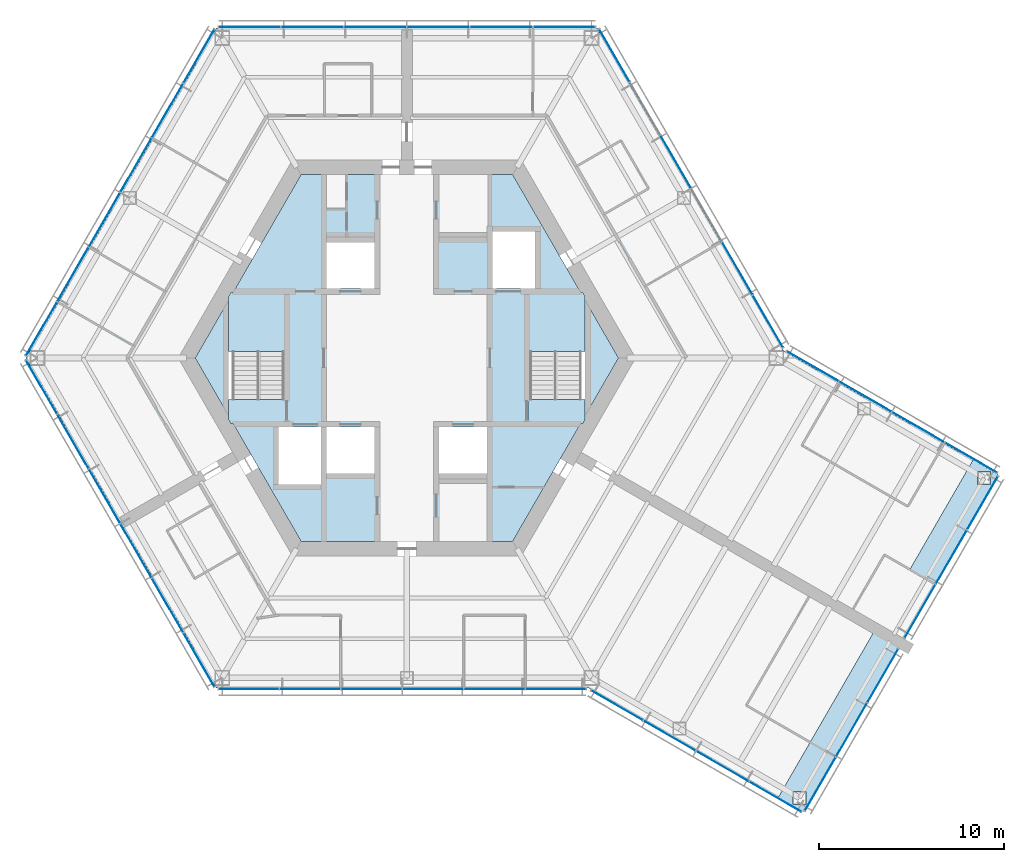
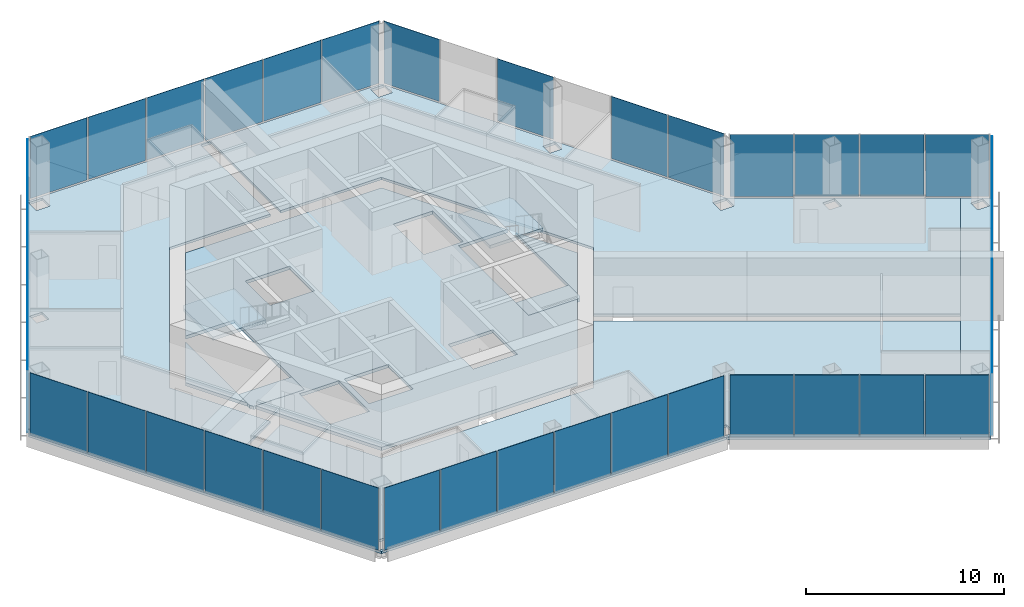
# One storey, part 8 of 16: 42 plates, 9 slabs, 11 elements without a shape of their own.
"""IFC4 building model written with IfcOpenShell, lengths in metres."""

from ifc_helpers import new_model, si_unit, direction, frame, origin, origin_2d, place, context, subcontext, project, spatial, polyline, rectangle, outline, extrude, material, layer, layer_set, type_object, element, aggregate, save


model = new_model("IFC4")

# Units and contexts
model_context = context("Model", 3, precision=1e-05, world=origin(), true_north=direction((0.0, 1.0)))
body_context = subcontext(model_context, "Body", "Model", "MODEL_VIEW")
ifc_project = project(units=[si_unit("LENGTHUNIT", "METRE"), si_unit("AREAUNIT", "SQUARE_METRE"), si_unit("VOLUMEUNIT", "CUBIC_METRE"), si_unit("PLANEANGLEUNIT", "RADIAN"), si_unit("MASSUNIT", "GRAM", prefix="KILO")], contexts=[model_context])

# Site, building, storey
site_placement = place(None, origin())
site = spatial("IfcSite", under=ifc_project, at=site_placement, CompositionType="ELEMENT")
building_placement = place(site_placement, origin())
building = spatial("IfcBuilding", under=site, at=building_placement, Name="Kasaneha Research Tower", CompositionType="ELEMENT")
storey_placement = place(building_placement, frame((0.0, 0.0, 259.60009765625)))
storey = spatial("IfcBuildingStorey", under=building, at=storey_placement, Name="L65", CompositionType="ELEMENT", Elevation=259.60009765625)

# Curtain wall, plates
ifc_material_1 = material(Name="Glass and aluminium", Category="aluminium")
curtain_wall_type = type_object("IfcCurtainWallType", Name="High-rise office curtain wall", PredefinedType="USERDEFINED", material=ifc_material_1)
curtain_wall_1_placement = place(storey_placement, origin())
curtain_wall_1 = element("IfcCurtainWall", 1, at=curtain_wall_1_placement, inside=storey, type_object=curtain_wall_type, Name="CW-O3 L65 run 01a", ObjectType="UNITISED CURTAIN WALL", PredefinedType="USERDEFINED")
ifc_material_2 = material(Name="Laminated double glazing", Category="glass")
ifc_layer_1 = layer(ifc_material_2, 0.02392578125)
ifc_layer_set_1 = layer_set([ifc_layer_1], Name="CW-O3 glazed panel")
plate_type = type_object("IfcPlateType", Name="CW-O3 glazed panel", PredefinedType="CURTAIN_PANEL", material=ifc_layer_set_1)
plate_1_placement = place(storey_placement, frame((19.549072265625, 1.981201171875, 0.06005859375), z_axis=(0.0, 0.0, 1.0), x_axis=(-0.499999979232, 0.866025415775, 0.0)))
plate_1 = element("IfcPlate", 2, at=plate_1_placement, type_object=plate_type, Name="CW-O3 panel 1", PredefinedType="CURTAIN_PANEL", context=body_context, shape_type="SweptSolid", body=[
    extrude(rectangle(XDim=3.240966796875, YDim=0.02392578125, at=origin_2d()), origin(), (0.0, 0.0, 1.0), 3.840087890625),
])
plate_2_placement = place(storey_placement, frame((17.89111328125, 4.852783203125, 0.06005859375), z_axis=(0.0, 0.0, 1.0), x_axis=(-0.499999979232, 0.866025415775, 0.0)))
plate_2 = element("IfcPlate", 3, at=plate_2_placement, type_object=plate_type, Name="CW-O3 panel 2", PredefinedType="CURTAIN_PANEL", context=body_context, shape_type="SweptSolid", body=[
    extrude(rectangle(XDim=3.27099609375, YDim=0.02392578125, at=origin_2d()), origin(), (0.0, 0.0, 1.0), 3.840087890625),
])
plate_3_placement = place(storey_placement, frame((14.56005859375, 10.622314453125, 0.06005859375), z_axis=(0.0, 0.0, 1.0), x_axis=(-0.499999979232, 0.866025415775, 0.0)))
plate_3 = element("IfcPlate", 4, at=plate_3_placement, type_object=plate_type, Name="CW-O3 panel 4", PredefinedType="CURTAIN_PANEL", context=body_context, shape_type="SweptSolid", body=[
    extrude(rectangle(XDim=3.27099609375, YDim=0.02392578125, at=origin_2d()), origin(), (0.0, 0.0, 1.0), 3.840087890625),
])
plate_4_placement = place(storey_placement, frame((11.236572265625, 16.378662109375, 0.06005859375), z_axis=(0.0, 0.0, 1.0), x_axis=(-0.499999979232, 0.866025415775, 0.0)))
plate_4 = element("IfcPlate", 5, at=plate_4_placement, type_object=plate_type, Name="CW-O3 panel 6", PredefinedType="CURTAIN_PANEL", context=body_context, shape_type="SweptSolid", body=[
    extrude(rectangle(XDim=3.240966796875, YDim=0.02392578125, at=origin_2d()), origin(), (0.0, 0.0, 1.0), 3.840087890625),
])
aggregate(curtain_wall_1, [plate_1, plate_2, plate_3, plate_4])

curtain_wall_2_placement = place(storey_placement, origin())
curtain_wall_2 = element("IfcCurtainWall", 6, at=curtain_wall_2_placement, inside=storey, type_object=curtain_wall_type, Name="CW-O3 L65 run 02a", ObjectType="UNITISED CURTAIN WALL", PredefinedType="USERDEFINED")
plate_5_placement = place(storey_placement, frame((8.523681640625, 17.92041015625, 0.06005859375), z_axis=(0.0, 0.0, 1.0), x_axis=(-1.0, 0.0, 0.0)))
plate_5 = element("IfcPlate", 7, at=plate_5_placement, type_object=plate_type, Name="CW-O3 panel 1", PredefinedType="CURTAIN_PANEL", context=body_context, shape_type="SweptSolid", body=[
    extrude(rectangle(XDim=3.325439453125, YDim=0.02392578125, at=origin_2d()), origin(), (0.0, 0.0, 1.0), 3.840087890625),
])
plate_6_placement = place(storey_placement, frame((5.123291015625, 17.92041015625, 0.06005859375), z_axis=(0.0, 0.0, 1.0), x_axis=(-1.0, 0.0, 0.0)))
plate_6 = element("IfcPlate", 8, at=plate_6_placement, type_object=plate_type, Name="CW-O3 panel 2", PredefinedType="CURTAIN_PANEL", context=body_context, shape_type="SweptSolid", body=[
    extrude(rectangle(XDim=3.35546875, YDim=0.02392578125, at=origin_2d()), origin(), (0.0, 0.0, 1.0), 3.840087890625),
])
plate_7_placement = place(storey_placement, frame((1.707763671875, 17.92041015625, 0.06005859375), z_axis=(0.0, 0.0, 1.0), x_axis=(-1.0, 0.0, 0.0)))
plate_7 = element("IfcPlate", 9, at=plate_7_placement, type_object=plate_type, Name="CW-O3 panel 3", PredefinedType="CURTAIN_PANEL", context=body_context, shape_type="SweptSolid", body=[
    extrude(rectangle(XDim=3.35546875, YDim=0.02392578125, at=origin_2d()), origin(), (0.0, 0.0, 1.0), 3.840087890625),
])
plate_8_placement = place(storey_placement, frame((-1.707763671875, 17.92041015625, 0.06005859375), z_axis=(0.0, 0.0, 1.0), x_axis=(-1.0, 0.0, 0.0)))
plate_8 = element("IfcPlate", 10, at=plate_8_placement, type_object=plate_type, Name="CW-O3 panel 4", PredefinedType="CURTAIN_PANEL", context=body_context, shape_type="SweptSolid", body=[
    extrude(rectangle(XDim=3.35546875, YDim=0.02392578125, at=origin_2d()), origin(), (0.0, 0.0, 1.0), 3.840087890625),
])
plate_9_placement = place(storey_placement, frame((-5.123291015625, 17.92041015625, 0.06005859375), z_axis=(0.0, 0.0, 1.0), x_axis=(-1.0, 0.0, 0.0)))
plate_9 = element("IfcPlate", 11, at=plate_9_placement, type_object=plate_type, Name="CW-O3 panel 5", PredefinedType="CURTAIN_PANEL", context=body_context, shape_type="SweptSolid", body=[
    extrude(rectangle(XDim=3.35546875, YDim=0.02392578125, at=origin_2d()), origin(), (0.0, 0.0, 1.0), 3.840087890625),
])
plate_10_placement = place(storey_placement, frame((-8.523681640625, 17.92041015625, 0.06005859375), z_axis=(0.0, 0.0, 1.0), x_axis=(-1.0, 0.0, 0.0)))
plate_10 = element("IfcPlate", 12, at=plate_10_placement, type_object=plate_type, Name="CW-O3 panel 6", PredefinedType="CURTAIN_PANEL", context=body_context, shape_type="SweptSolid", body=[
    extrude(rectangle(XDim=3.325439453125, YDim=0.02392578125, at=origin_2d()), origin(), (0.0, 0.0, 1.0), 3.840087890625),
])
aggregate(curtain_wall_2, [plate_5, plate_6, plate_7, plate_8, plate_9, plate_10])

curtain_wall_3_placement = place(storey_placement, origin())
curtain_wall_3 = element("IfcCurtainWall", 13, at=curtain_wall_3_placement, inside=storey, type_object=curtain_wall_type, Name="CW-O3 L65 run 03a", ObjectType="UNITISED CURTAIN WALL", PredefinedType="USERDEFINED")
plate_11_placement = place(storey_placement, frame((-11.2578125, 16.342041015625, 0.06005859375), z_axis=(0.0, 0.0, 1.0), x_axis=(-0.499999995722, -0.866025406254, 0.0)))
plate_11 = element("IfcPlate", 14, at=plate_11_placement, type_object=plate_type, Name="CW-O3 panel 1", PredefinedType="CURTAIN_PANEL", context=body_context, shape_type="SweptSolid", body=[
    extrude(rectangle(XDim=3.325439453125, YDim=0.02392578125, at=origin_2d()), origin(), (0.0, 0.0, 1.0), 3.840087890625),
])
plate_12_placement = place(storey_placement, frame((-12.9580078125, 13.39697265625, 0.06005859375), z_axis=(0.0, 0.0, 1.0), x_axis=(-0.499999995722, -0.866025406254, 0.0)))
plate_12 = element("IfcPlate", 15, at=plate_12_placement, type_object=plate_type, Name="CW-O3 panel 2", PredefinedType="CURTAIN_PANEL", context=body_context, shape_type="SweptSolid", body=[
    extrude(rectangle(XDim=3.35546875, YDim=0.02392578125, at=origin_2d()), origin(), (0.0, 0.0, 1.0), 3.840087890625),
])
plate_13_placement = place(storey_placement, frame((-14.665771484375, 10.439208984375, 0.06005859375), z_axis=(0.0, 0.0, 1.0), x_axis=(-0.499999995722, -0.866025406254, 0.0)))
plate_13 = element("IfcPlate", 16, at=plate_13_placement, type_object=plate_type, Name="CW-O3 panel 3", PredefinedType="CURTAIN_PANEL", context=body_context, shape_type="SweptSolid", body=[
    extrude(rectangle(XDim=3.35546875, YDim=0.02392578125, at=origin_2d()), origin(), (0.0, 0.0, 1.0), 3.840087890625),
])
plate_14_placement = place(storey_placement, frame((-16.37353515625, 7.481201171875, 0.06005859375), z_axis=(0.0, 0.0, 1.0), x_axis=(-0.499999995722, -0.866025406254, 0.0)))
plate_14 = element("IfcPlate", 17, at=plate_14_placement, type_object=plate_type, Name="CW-O3 panel 4", PredefinedType="CURTAIN_PANEL", context=body_context, shape_type="SweptSolid", body=[
    extrude(rectangle(XDim=3.35546875, YDim=0.02392578125, at=origin_2d()), origin(), (0.0, 0.0, 1.0), 3.840087890625),
])
plate_15_placement = place(storey_placement, frame((-18.081298828125, 4.5234375, 0.06005859375), z_axis=(0.0, 0.0, 1.0), x_axis=(-0.499999995722, -0.866025406254, 0.0)))
plate_15 = element("IfcPlate", 18, at=plate_15_placement, type_object=plate_type, Name="CW-O3 panel 5", PredefinedType="CURTAIN_PANEL", context=body_context, shape_type="SweptSolid", body=[
    extrude(rectangle(XDim=3.35546875, YDim=0.02392578125, at=origin_2d()), origin(), (0.0, 0.0, 1.0), 3.840087890625),
])
plate_16_placement = place(storey_placement, frame((-19.781494140625, 1.57861328125, 0.06005859375), z_axis=(0.0, 0.0, 1.0), x_axis=(-0.499999995722, -0.866025406254, 0.0)))
plate_16 = element("IfcPlate", 19, at=plate_16_placement, type_object=plate_type, Name="CW-O3 panel 6", PredefinedType="CURTAIN_PANEL", context=body_context, shape_type="SweptSolid", body=[
    extrude(rectangle(XDim=3.325439453125, YDim=0.02392578125, at=origin_2d()), origin(), (0.0, 0.0, 1.0), 3.840087890625),
])
aggregate(curtain_wall_3, [plate_11, plate_12, plate_13, plate_14, plate_15, plate_16])

curtain_wall_4_placement = place(storey_placement, origin())
curtain_wall_4 = element("IfcCurtainWall", 20, at=curtain_wall_4_placement, inside=storey, type_object=curtain_wall_type, Name="CW-O3 L65 run 04a", ObjectType="UNITISED CURTAIN WALL", PredefinedType="USERDEFINED")
plate_17_placement = place(storey_placement, frame((-19.781494140625, -1.57861328125, 0.06005859375), z_axis=(0.0, 0.0, 1.0), x_axis=(0.499999995722, -0.866025406254, 0.0)))
plate_17 = element("IfcPlate", 21, at=plate_17_placement, type_object=plate_type, Name="CW-O3 panel 1", PredefinedType="CURTAIN_PANEL", context=body_context, shape_type="SweptSolid", body=[
    extrude(rectangle(XDim=3.325439453125, YDim=0.02392578125, at=origin_2d()), origin(), (0.0, 0.0, 1.0), 3.840087890625),
])
plate_18_placement = place(storey_placement, frame((-18.081298828125, -4.5234375, 0.06005859375), z_axis=(0.0, 0.0, 1.0), x_axis=(0.499999995722, -0.866025406254, 0.0)))
plate_18 = element("IfcPlate", 22, at=plate_18_placement, type_object=plate_type, Name="CW-O3 panel 2", PredefinedType="CURTAIN_PANEL", context=body_context, shape_type="SweptSolid", body=[
    extrude(rectangle(XDim=3.35546875, YDim=0.02392578125, at=origin_2d()), origin(), (0.0, 0.0, 1.0), 3.840087890625),
])
plate_19_placement = place(storey_placement, frame((-16.37353515625, -7.481201171875, 0.06005859375), z_axis=(0.0, 0.0, 1.0), x_axis=(0.499999995722, -0.866025406254, 0.0)))
plate_19 = element("IfcPlate", 23, at=plate_19_placement, type_object=plate_type, Name="CW-O3 panel 3", PredefinedType="CURTAIN_PANEL", context=body_context, shape_type="SweptSolid", body=[
    extrude(rectangle(XDim=3.35546875, YDim=0.02392578125, at=origin_2d()), origin(), (0.0, 0.0, 1.0), 3.840087890625),
])
plate_20_placement = place(storey_placement, frame((-14.665771484375, -10.439208984375, 0.06005859375), z_axis=(0.0, 0.0, 1.0), x_axis=(0.499999995722, -0.866025406254, 0.0)))
plate_20 = element("IfcPlate", 24, at=plate_20_placement, type_object=plate_type, Name="CW-O3 panel 4", PredefinedType="CURTAIN_PANEL", context=body_context, shape_type="SweptSolid", body=[
    extrude(rectangle(XDim=3.35546875, YDim=0.02392578125, at=origin_2d()), origin(), (0.0, 0.0, 1.0), 3.840087890625),
])
plate_21_placement = place(storey_placement, frame((-12.9580078125, -13.39697265625, 0.06005859375), z_axis=(0.0, 0.0, 1.0), x_axis=(0.499999995722, -0.866025406254, 0.0)))
plate_21 = element("IfcPlate", 25, at=plate_21_placement, type_object=plate_type, Name="CW-O3 panel 5", PredefinedType="CURTAIN_PANEL", context=body_context, shape_type="SweptSolid", body=[
    extrude(rectangle(XDim=3.35546875, YDim=0.02392578125, at=origin_2d()), origin(), (0.0, 0.0, 1.0), 3.840087890625),
])
plate_22_placement = place(storey_placement, frame((-11.2578125, -16.342041015625, 0.06005859375), z_axis=(0.0, 0.0, 1.0), x_axis=(0.499999995722, -0.866025406254, 0.0)))
plate_22 = element("IfcPlate", 26, at=plate_22_placement, type_object=plate_type, Name="CW-O3 panel 6", PredefinedType="CURTAIN_PANEL", context=body_context, shape_type="SweptSolid", body=[
    extrude(rectangle(XDim=3.325439453125, YDim=0.02392578125, at=origin_2d()), origin(), (0.0, 0.0, 1.0), 3.840087890625),
])
aggregate(curtain_wall_4, [plate_17, plate_18, plate_19, plate_20, plate_21, plate_22])

curtain_wall_5_placement = place(storey_placement, origin())
curtain_wall_5 = element("IfcCurtainWall", 27, at=curtain_wall_5_placement, inside=storey, type_object=curtain_wall_type, Name="CW-O3 L65 run 05a", ObjectType="UNITISED CURTAIN WALL", PredefinedType="USERDEFINED")
plate_23_placement = place(storey_placement, frame((-8.56591796875, -17.92041015625, 0.06005859375), z_axis=(0.0, 0.0, 1.0), x_axis=(1.0, 0.0, 0.0)))
plate_23 = element("IfcPlate", 28, at=plate_23_placement, type_object=plate_type, Name="CW-O3 panel 1", PredefinedType="CURTAIN_PANEL", context=body_context, shape_type="SweptSolid", body=[
    extrude(rectangle(XDim=3.240966796875, YDim=0.02392578125, at=origin_2d()), origin(), (0.0, 0.0, 1.0), 3.840087890625),
])
plate_24_placement = place(storey_placement, frame((-5.25, -17.92041015625, 0.06005859375), z_axis=(0.0, 0.0, 1.0), x_axis=(1.0, 0.0, 0.0)))
plate_24 = element("IfcPlate", 29, at=plate_24_placement, type_object=plate_type, Name="CW-O3 panel 2", PredefinedType="CURTAIN_PANEL", context=body_context, shape_type="SweptSolid", body=[
    extrude(rectangle(XDim=3.27099609375, YDim=0.02392578125, at=origin_2d()), origin(), (0.0, 0.0, 1.0), 3.840087890625),
])
plate_25_placement = place(storey_placement, frame((-1.9189453125, -17.92041015625, 0.06005859375), z_axis=(0.0, 0.0, 1.0), x_axis=(1.0, 0.0, 0.0)))
plate_25 = element("IfcPlate", 30, at=plate_25_placement, type_object=plate_type, Name="CW-O3 panel 3", PredefinedType="CURTAIN_PANEL", context=body_context, shape_type="SweptSolid", body=[
    extrude(rectangle(XDim=3.27099609375, YDim=0.02392578125, at=origin_2d()), origin(), (0.0, 0.0, 1.0), 3.840087890625),
])
plate_26_placement = place(storey_placement, frame((1.411865234375, -17.92041015625, 0.06005859375), z_axis=(0.0, 0.0, 1.0), x_axis=(1.0, 0.0, 0.0)))
plate_26 = element("IfcPlate", 31, at=plate_26_placement, type_object=plate_type, Name="CW-O3 panel 4", PredefinedType="CURTAIN_PANEL", context=body_context, shape_type="SweptSolid", body=[
    extrude(rectangle(XDim=3.27099609375, YDim=0.02392578125, at=origin_2d()), origin(), (0.0, 0.0, 1.0), 3.840087890625),
])
plate_27_placement = place(storey_placement, frame((4.742919921875, -17.92041015625, 0.06005859375), z_axis=(0.0, 0.0, 1.0), x_axis=(1.0, 0.0, 0.0)))
plate_27 = element("IfcPlate", 32, at=plate_27_placement, type_object=plate_type, Name="CW-O3 panel 5", PredefinedType="CURTAIN_PANEL", context=body_context, shape_type="SweptSolid", body=[
    extrude(rectangle(XDim=3.27099609375, YDim=0.02392578125, at=origin_2d()), origin(), (0.0, 0.0, 1.0), 3.840087890625),
])
plate_28_placement = place(storey_placement, frame((8.058837890625, -17.92041015625, 0.06005859375), z_axis=(0.0, 0.0, 1.0), x_axis=(1.0, 0.0, 0.0)))
plate_28 = element("IfcPlate", 33, at=plate_28_placement, type_object=plate_type, Name="CW-O3 panel 6", PredefinedType="CURTAIN_PANEL", context=body_context, shape_type="SweptSolid", body=[
    extrude(rectangle(XDim=3.240966796875, YDim=0.02392578125, at=origin_2d()), origin(), (0.0, 0.0, 1.0), 3.840087890625),
])
aggregate(curtain_wall_5, [plate_23, plate_24, plate_25, plate_26, plate_27, plate_28])

curtain_wall_6_placement = place(storey_placement, origin())
curtain_wall_6 = element("IfcCurtainWall", 34, at=curtain_wall_6_placement, inside=storey, type_object=curtain_wall_type, Name="CW-O3 L65 run 06a", ObjectType="UNITISED CURTAIN WALL", PredefinedType="USERDEFINED")
plate_29_placement = place(storey_placement, frame((11.3720703125, -18.805419921875, 0.06005859375), z_axis=(0.0, 0.0, 1.0), x_axis=(0.866025411464, -0.499999986699, 0.0)))
plate_29 = element("IfcPlate", 35, at=plate_29_placement, type_object=plate_type, Name="CW-O3 panel 1", PredefinedType="CURTAIN_PANEL", context=body_context, shape_type="SweptSolid", body=[
    extrude(rectangle(XDim=3.2197265625, YDim=0.02392578125, at=origin_2d()), origin(), (0.0, 0.0, 1.0), 3.840087890625),
])
plate_30_placement = place(storey_placement, frame((14.225341796875, -20.452880859375, 0.06005859375), z_axis=(0.0, 0.0, 1.0), x_axis=(0.866025411464, -0.499999986699, 0.0)))
plate_30 = element("IfcPlate", 36, at=plate_30_placement, type_object=plate_type, Name="CW-O3 panel 2", PredefinedType="CURTAIN_PANEL", context=body_context, shape_type="SweptSolid", body=[
    extrude(rectangle(XDim=3.249755859375, YDim=0.02392578125, at=origin_2d()), origin(), (0.0, 0.0, 1.0), 3.840087890625),
])
plate_31_placement = place(storey_placement, frame((17.091796875, -22.107666015625, 0.06005859375), z_axis=(0.0, 0.0, 1.0), x_axis=(0.866025411464, -0.499999986699, 0.0)))
plate_31 = element("IfcPlate", 37, at=plate_31_placement, type_object=plate_type, Name="CW-O3 panel 3", PredefinedType="CURTAIN_PANEL", context=body_context, shape_type="SweptSolid", body=[
    extrude(rectangle(XDim=3.249755859375, YDim=0.02392578125, at=origin_2d()), origin(), (0.0, 0.0, 1.0), 3.840087890625),
])
plate_32_placement = place(storey_placement, frame((19.945068359375, -23.755126953125, 0.06005859375), z_axis=(0.0, 0.0, 1.0), x_axis=(0.866025411464, -0.499999986699, 0.0)))
plate_32 = element("IfcPlate", 38, at=plate_32_placement, type_object=plate_type, Name="CW-O3 panel 4", PredefinedType="CURTAIN_PANEL", context=body_context, shape_type="SweptSolid", body=[
    extrude(rectangle(XDim=3.2197265625, YDim=0.02392578125, at=origin_2d()), origin(), (0.0, 0.0, 1.0), 3.840087890625),
])
aggregate(curtain_wall_6, [plate_29, plate_30, plate_31, plate_32])

curtain_wall_7_placement = place(storey_placement, origin())
curtain_wall_7 = element("IfcCurtainWall", 39, at=curtain_wall_7_placement, inside=storey, type_object=curtain_wall_type, Name="CW-O3 L65 run 07a", ObjectType="UNITISED CURTAIN WALL", PredefinedType="USERDEFINED")
plate_33_placement = place(storey_placement, frame((22.385498046875, -23.068359375, 0.06005859375), z_axis=(0.0, 0.0, 1.0), x_axis=(0.500000011442, 0.866025397178, 0.0)))
plate_33 = element("IfcPlate", 40, at=plate_33_placement, type_object=plate_type, Name="CW-O3 panel 1", PredefinedType="CURTAIN_PANEL", context=body_context, shape_type="SweptSolid", body=[
    extrude(rectangle(XDim=3.31005859375, YDim=0.02392578125, at=origin_2d()), origin(), (0.0, 0.0, 1.0), 3.840087890625),
])
plate_34_placement = place(storey_placement, frame((24.077880859375, -20.13671875, 0.06005859375), z_axis=(0.0, 0.0, 1.0), x_axis=(0.500000011442, 0.866025397178, 0.0)))
plate_34 = element("IfcPlate", 41, at=plate_34_placement, type_object=plate_type, Name="CW-O3 panel 2", PredefinedType="CURTAIN_PANEL", context=body_context, shape_type="SweptSolid", body=[
    extrude(rectangle(XDim=3.340087890625, YDim=0.02392578125, at=origin_2d()), origin(), (0.0, 0.0, 1.0), 3.840087890625),
])
plate_35_placement = place(storey_placement, frame((25.7705078125, -17.205322265625, 0.06005859375), z_axis=(0.0, 0.0, 1.0), x_axis=(0.500000011442, 0.866025397178, 0.0)))
plate_35 = element("IfcPlate", 42, at=plate_35_placement, type_object=plate_type, Name="CW-O3 panel 3", PredefinedType="CURTAIN_PANEL", context=body_context, shape_type="SweptSolid", body=[
    extrude(rectangle(XDim=3.31005859375, YDim=0.02392578125, at=origin_2d()), origin(), (0.0, 0.0, 1.0), 3.840087890625),
])
aggregate(curtain_wall_7, [plate_33, plate_34, plate_35])

curtain_wall_8_placement = place(storey_placement, origin())
curtain_wall_8 = element("IfcCurtainWall", 43, at=curtain_wall_8_placement, inside=storey, type_object=curtain_wall_type, Name="CW-O3 L65 run 08a", ObjectType="UNITISED CURTAIN WALL", PredefinedType="USERDEFINED")
plate_36_placement = place(storey_placement, frame((27.785400390625, -13.71533203125, 0.06005859375), z_axis=(0.0, 0.0, 1.0), x_axis=(0.500000011442, 0.866025397178, 0.0)))
plate_36 = element("IfcPlate", 44, at=plate_36_placement, type_object=plate_type, Name="CW-O3 panel 1", PredefinedType="CURTAIN_PANEL", context=body_context, shape_type="SweptSolid", body=[
    extrude(rectangle(XDim=3.31005859375, YDim=0.02392578125, at=origin_2d()), origin(), (0.0, 0.0, 1.0), 3.840087890625),
])
plate_37_placement = place(storey_placement, frame((29.47802734375, -10.78369140625, 0.06005859375), z_axis=(0.0, 0.0, 1.0), x_axis=(0.500000011442, 0.866025397178, 0.0)))
plate_37 = element("IfcPlate", 45, at=plate_37_placement, type_object=plate_type, Name="CW-O3 panel 2", PredefinedType="CURTAIN_PANEL", context=body_context, shape_type="SweptSolid", body=[
    extrude(rectangle(XDim=3.340087890625, YDim=0.02392578125, at=origin_2d()), origin(), (0.0, 0.0, 1.0), 3.840087890625),
])
plate_38_placement = place(storey_placement, frame((31.17041015625, -7.852294921875, 0.06005859375), z_axis=(0.0, 0.0, 1.0), x_axis=(0.500000011442, 0.866025397178, 0.0)))
plate_38 = element("IfcPlate", 46, at=plate_38_placement, type_object=plate_type, Name="CW-O3 panel 3", PredefinedType="CURTAIN_PANEL", context=body_context, shape_type="SweptSolid", body=[
    extrude(rectangle(XDim=3.31005859375, YDim=0.02392578125, at=origin_2d()), origin(), (0.0, 0.0, 1.0), 3.840087890625),
])
aggregate(curtain_wall_8, [plate_36, plate_37, plate_38])

curtain_wall_9_placement = place(storey_placement, origin())
curtain_wall_9 = element("IfcCurtainWall", 47, at=curtain_wall_9_placement, inside=storey, type_object=curtain_wall_type, Name="CW-O3 L65 run 09a", ObjectType="UNITISED CURTAIN WALL", PredefinedType="USERDEFINED")
plate_39_placement = place(storey_placement, frame((30.545166015625, -5.3955078125, 0.06005859375), z_axis=(0.0, 0.0, 1.0), x_axis=(-0.866025411464, 0.499999986699, 0.0)))
plate_39 = element("IfcPlate", 48, at=plate_39_placement, type_object=plate_type, Name="CW-O3 panel 1", PredefinedType="CURTAIN_PANEL", context=body_context, shape_type="SweptSolid", body=[
    extrude(rectangle(XDim=3.2197265625, YDim=0.02392578125, at=origin_2d()), origin(), (0.0, 0.0, 1.0), 3.840087890625),
])
plate_40_placement = place(storey_placement, frame((27.69189453125, -3.748046875, 0.06005859375), z_axis=(0.0, 0.0, 1.0), x_axis=(-0.866025411464, 0.499999986699, 0.0)))
plate_40 = element("IfcPlate", 49, at=plate_40_placement, type_object=plate_type, Name="CW-O3 panel 2", PredefinedType="CURTAIN_PANEL", context=body_context, shape_type="SweptSolid", body=[
    extrude(rectangle(XDim=3.249755859375, YDim=0.02392578125, at=origin_2d()), origin(), (0.0, 0.0, 1.0), 3.840087890625),
])
plate_41_placement = place(storey_placement, frame((24.825439453125, -2.093017578125, 0.06005859375), z_axis=(0.0, 0.0, 1.0), x_axis=(-0.866025411464, 0.499999986699, 0.0)))
plate_41 = element("IfcPlate", 50, at=plate_41_placement, type_object=plate_type, Name="CW-O3 panel 3", PredefinedType="CURTAIN_PANEL", context=body_context, shape_type="SweptSolid", body=[
    extrude(rectangle(XDim=3.249755859375, YDim=0.02392578125, at=origin_2d()), origin(), (0.0, 0.0, 1.0), 3.840087890625),
])
plate_42_placement = place(storey_placement, frame((21.971923828125, -0.44580078125, 0.06005859375), z_axis=(0.0, 0.0, 1.0), x_axis=(-0.866025411464, 0.499999986699, 0.0)))
plate_42 = element("IfcPlate", 51, at=plate_42_placement, type_object=plate_type, Name="CW-O3 panel 4", PredefinedType="CURTAIN_PANEL", context=body_context, shape_type="SweptSolid", body=[
    extrude(rectangle(XDim=3.2197265625, YDim=0.02392578125, at=origin_2d()), origin(), (0.0, 0.0, 1.0), 3.840087890625),
])
aggregate(curtain_wall_9, [plate_39, plate_40, plate_41, plate_42])

# Slabs
ifc_material_3 = material(Name="Concrete Fc24", Category="concrete")
ifc_layer_2 = layer(ifc_material_3, 0.199951171875)
ifc_layer_set_2 = layer_set([ifc_layer_2], Name="Core floor slab 200")
slab_type_1 = type_object("IfcSlabType", Name="Core floor slab 200", PredefinedType="FLOOR", material=ifc_layer_set_2)
slab_1_placement = place(storey_placement, frame((0.0, 0.0, -0.2001953125)))
element("IfcSlab", 52, at=slab_1_placement, inside=storey, type_object=slab_type_1, Name="Core slab L65", PredefinedType="FLOOR", context=body_context, shape_type="SweptSolid", body=[
    extrude(outline(polyline([(-11.46044921875, 0.0), (-9.64990234375, 3.1357421875), (-9.64990234375, -3.1357421875), (-11.46044921875, 0.0)])), origin(), (0.0, 0.0, 1.0), 0.2001953125),
])
slab_2_placement = place(storey_placement, frame((0.0, 0.0, -0.2001953125)))
element("IfcSlab", 53, at=slab_2_placement, inside=storey, type_object=slab_type_1, Name="Core slab L65", PredefinedType="FLOOR", context=body_context, shape_type="SweptSolid", body=[
    extrude(outline(polyline([(-5.730224609375, 9.925048828125), (5.730224609375, 9.925048828125), (9.410888671875, 3.550048828125), (6.550048828125, 3.550048828125), (6.550048828125, -3.550048828125), (9.410888671875, -3.550048828125), (5.730224609375, -9.925048828125), (-5.730224609375, -9.925048828125), (-9.410888671875, -3.550048828125), (-6.550048828125, -3.550048828125), (-6.550048828125, 3.550048828125), (-9.410888671875, 3.550048828125), (-5.730224609375, 9.925048828125)]), holes=[polyline([(-6.949951171875, -6.85009765625), (-4.64990234375, -6.85009765625), (-4.64990234375, -3.75), (-6.949951171875, -3.75), (-6.949951171875, -6.85009765625)]), polyline([(-4.35009765625, -3.75), (-4.35009765625, -6.25), (-1.75, -6.25), (-1.75, -3.75), (-4.35009765625, -3.75)]), polyline([(1.75, -3.75), (1.75, -6.25), (4.35009765625, -6.25), (4.35009765625, -3.75), (1.75, -3.75)]), polyline([(-4.35009765625, 6.25), (-4.35009765625, 3.75), (-1.75, 3.75), (-1.75, 6.25), (-4.35009765625, 6.25)]), polyline([(4.64990234375, 6.85009765625), (4.64990234375, 3.75), (6.949951171875, 3.75), (6.949951171875, 6.85009765625), (4.64990234375, 6.85009765625)])]), origin(), (0.0, 0.0, 1.0), 0.2001953125),
])
slab_3_placement = place(storey_placement, frame((0.0, 0.0, -0.2001953125)))
element("IfcSlab", 54, at=slab_3_placement, inside=storey, type_object=slab_type_1, Name="Core slab L65", PredefinedType="FLOOR", context=body_context, shape_type="SweptSolid", body=[
    extrude(outline(polyline([(11.46044921875, 0.0), (9.64990234375, -3.1357421875), (9.64990234375, 3.1357421875), (11.46044921875, 0.0)])), origin(), (0.0, 0.0, 1.0), 0.2001953125),
])
ifc_material_4 = material(Name="Concrete Fc24", Category="concrete")
ifc_layer_3 = layer(ifc_material_4, 0.14990234375)
ifc_layer_set_3 = layer_set([ifc_layer_3], Name="Floor slab 150")
slab_type_2 = type_object("IfcSlabType", Name="Floor slab 150", PredefinedType="FLOOR", material=ifc_layer_set_3)
slab_4_placement = place(storey_placement, frame((0.0, 0.0, -0.150146484375)))
element("IfcSlab", 55, at=slab_4_placement, inside=storey, type_object=slab_type_2, Name="Floor slab L65 1", PredefinedType="FLOOR", context=body_context, shape_type="SweptSolid", body=[
    extrude(outline(polyline([(-10.317626953125, -17.87060546875), (-10.3974609375, -17.732177734375), (-10.385986328125, -17.720703125), (-9.599853515625, -17.720703125), (-9.599853515625, -16.92041015625), (-10.400146484375, -16.92041015625), (-10.400146484375, -17.70654296875), (-10.40771484375, -17.714111328125), (-20.635009765625, 0.0), (-20.40771484375, 0.3935546875), (-20.400146484375, 0.385986328125), (-20.400146484375, -0.400146484375), (-19.599853515625, -0.400146484375), (-19.599853515625, 0.400146484375), (-20.385986328125, 0.400146484375), (-20.3974609375, 0.41162109375), (-10.40771484375, 17.714111328125), (-10.400146484375, 17.70654296875), (-10.400146484375, 16.92041015625), (-9.599853515625, 16.92041015625), (-9.599853515625, 17.720703125), (-10.385986328125, 17.720703125), (-10.3974609375, 17.732177734375), (-10.317626953125, 17.87060546875), (10.317626953125, 17.87060546875), (10.3974609375, 17.732177734375), (10.385986328125, 17.720703125), (9.599853515625, 17.720703125), (9.599853515625, 16.92041015625), (10.400146484375, 16.92041015625), (10.400146484375, 17.70654296875), (10.40771484375, 17.714111328125), (20.3974609375, 0.41162109375), (20.385986328125, 0.400146484375), (19.599853515625, 0.400146484375), (19.599853515625, -0.400146484375), (20.400146484375, -0.400146484375), (20.400146484375, 0.385986328125), (20.41162109375, 0.3974609375), (30.65869140625, -5.518798828125), (25.53369140625, -14.3955078125), (9.438232421875, -5.102783203125), (12.38427734375, 0.0), (6.192138671875, 10.72509765625), (0.300048828125, 10.72509765625), (0.300048828125, 17.7705078125), (-0.300048828125, 17.7705078125), (-0.300048828125, 10.72509765625), (-6.192138671875, 10.72509765625), (-12.38427734375, 0.0), (-9.438232421875, -5.102783203125), (-15.539794921875, -8.62548828125), (-15.23974609375, -9.14501953125), (-9.13818359375, -5.622314453125), (-6.192138671875, -10.72509765625), (6.192138671875, -10.72509765625), (9.13818359375, -5.622314453125), (25.233642578125, -14.9150390625), (20.108642578125, -23.791748046875), (9.8525390625, -17.87060546875), (-10.317626953125, -17.87060546875)]), holes=[polyline([(-0.35009765625, -17.67041015625), (0.35009765625, -17.67041015625), (0.35009765625, -16.970458984375), (-0.35009765625, -16.970458984375), (-0.35009765625, -17.67041015625)]), polyline([(-15.35009765625, 8.310302734375), (-14.64990234375, 8.310302734375), (-14.64990234375, 9.01025390625), (-15.35009765625, 9.01025390625), (-15.35009765625, 8.310302734375)]), polyline([(14.4130859375, -20.42041015625), (15.113037109375, -20.42041015625), (15.113037109375, -19.720458984375), (14.4130859375, -19.720458984375), (14.4130859375, -20.42041015625)]), polyline([(9.60009765625, -17.720458984375), (10.39990234375, -17.720458984375), (10.39990234375, -16.92041015625), (9.60009765625, -16.92041015625), (9.60009765625, -17.720458984375)]), polyline([(24.4130859375, -3.10009765625), (25.113037109375, -3.10009765625), (25.113037109375, -2.39990234375), (24.4130859375, -2.39990234375), (24.4130859375, -3.10009765625)]), polyline([(14.64990234375, 9.01025390625), (14.64990234375, 8.310302734375), (15.35009765625, 8.310302734375), (15.35009765625, 9.01025390625), (14.64990234375, 9.01025390625)])]), origin(), (0.0, 0.0, 1.0), 0.150146484375),
])
slab_5_placement = place(storey_placement, frame((0.0, 0.0, -0.150146484375)))
element("IfcSlab", 56, at=slab_5_placement, inside=storey, type_object=slab_type_2, Name="Floor slab L65 2", PredefinedType="FLOOR", context=body_context, shape_type="SweptSolid", body=[
    extrude(outline(polyline([(32.009521484375, -6.298583984375), (21.459716796875, -24.57177734375), (20.108642578125, -23.791748046875), (25.233642578125, -14.9150390625), (25.2421875, -14.920166015625), (25.542236328125, -14.400390625), (25.53369140625, -14.3955078125), (30.65869140625, -5.518798828125), (32.009521484375, -6.298583984375)]), holes=[polyline([(20.908447265625, -24.17041015625), (21.6083984375, -24.17041015625), (21.6083984375, -23.470458984375), (20.908447265625, -23.470458984375), (20.908447265625, -24.17041015625)]), polyline([(30.908447265625, -6.85009765625), (31.6083984375, -6.85009765625), (31.6083984375, -6.14990234375), (30.908447265625, -6.14990234375), (30.908447265625, -6.85009765625)])]), origin(), (0.0, 0.0, 1.0), 0.150146484375),
])

# Stair, slabs
ifc_material_5 = material(Name="Concrete Fc24", Category="concrete")
stair_type = type_object("IfcStairType", Name="Half-turn stair 22 risers", PredefinedType="HALF_TURN_STAIR", material=ifc_material_5)
stair_1_placement = place(storey_placement, origin())
stair_1 = element("IfcStair", 57, at=stair_1_placement, inside=storey, type_object=stair_type, Name="Stair 1 L65", PredefinedType="HALF_TURN_STAIR")
ifc_material_6 = material(Name="Concrete Fc24", Category="concrete")
ifc_layer_4 = layer(ifc_material_6, 0.199951171875)
ifc_layer_set_4 = layer_set([ifc_layer_4], Name="Stair 1 landing 200")
slab_type_3 = type_object("IfcSlabType", Name="Stair 1 landing 200", PredefinedType="LANDING", material=ifc_layer_set_4)
slab_6_placement = place(storey_placement, frame((0.0, 0.0, -0.2001953125)))
slab_6 = element("IfcSlab", 58, at=slab_6_placement, type_object=slab_type_3, Name="ST1-22R landing 1", PredefinedType="LANDING", context=body_context, shape_type="SweptSolid", body=[
    extrude(outline(polyline([(9.5263671875, -3.550048828125), (6.550048828125, -3.550048828125), (6.550048828125, -2.25), (9.64990234375, -2.25), (9.64990234375, -3.335693359375), (9.5263671875, -3.550048828125)])), origin(), (0.0, 0.0, 1.0), 0.2001953125),
])
slab_7_placement = place(storey_placement, frame((0.0, 0.0, 1.75)))
slab_7 = element("IfcSlab", 59, at=slab_7_placement, type_object=slab_type_3, Name="ST1-22R landing 2", PredefinedType="LANDING", context=body_context, shape_type="SweptSolid", body=[
    extrude(outline(polyline([(6.550048828125, 3.550048828125), (9.5263671875, 3.550048828125), (9.64990234375, 3.335693359375), (9.64990234375, 0.35009765625), (6.550048828125, 0.35009765625), (6.550048828125, 3.550048828125)])), origin(), (0.0, 0.0, 1.0), 0.199951171875),
])
aggregate(stair_1, [slab_6, slab_7])

stair_2_placement = place(storey_placement, origin())
stair_2 = element("IfcStair", 60, at=stair_2_placement, inside=storey, type_object=stair_type, Name="Stair 2 L65", PredefinedType="HALF_TURN_STAIR")
ifc_material_7 = material(Name="Concrete Fc24", Category="concrete")
ifc_layer_5 = layer(ifc_material_7, 0.199951171875)
ifc_layer_set_5 = layer_set([ifc_layer_5], Name="Stair 2 landing 200")
slab_type_4 = type_object("IfcSlabType", Name="Stair 2 landing 200", PredefinedType="LANDING", material=ifc_layer_set_5)
slab_8_placement = place(storey_placement, frame((0.0, 0.0, -0.2001953125)))
slab_8 = element("IfcSlab", 61, at=slab_8_placement, type_object=slab_type_4, Name="ST2-22R landing 1", PredefinedType="LANDING", context=body_context, shape_type="SweptSolid", body=[
    extrude(outline(polyline([(-6.550048828125, -3.550048828125), (-9.5263671875, -3.550048828125), (-9.64990234375, -3.335693359375), (-9.64990234375, -2.25), (-6.550048828125, -2.25), (-6.550048828125, -3.550048828125)])), origin(), (0.0, 0.0, 1.0), 0.2001953125),
])
slab_9_placement = place(storey_placement, frame((0.0, 0.0, 1.75)))
slab_9 = element("IfcSlab", 62, at=slab_9_placement, type_object=slab_type_4, Name="ST2-22R landing 2", PredefinedType="LANDING", context=body_context, shape_type="SweptSolid", body=[
    extrude(outline(polyline([(-6.550048828125, 0.35009765625), (-9.64990234375, 0.35009765625), (-9.64990234375, 3.335693359375), (-9.5263671875, 3.550048828125), (-6.550048828125, 3.550048828125), (-6.550048828125, 0.35009765625)])), origin(), (0.0, 0.0, 1.0), 0.199951171875),
])
aggregate(stair_2, [slab_8, slab_9])

save(model, "model.ifc")
